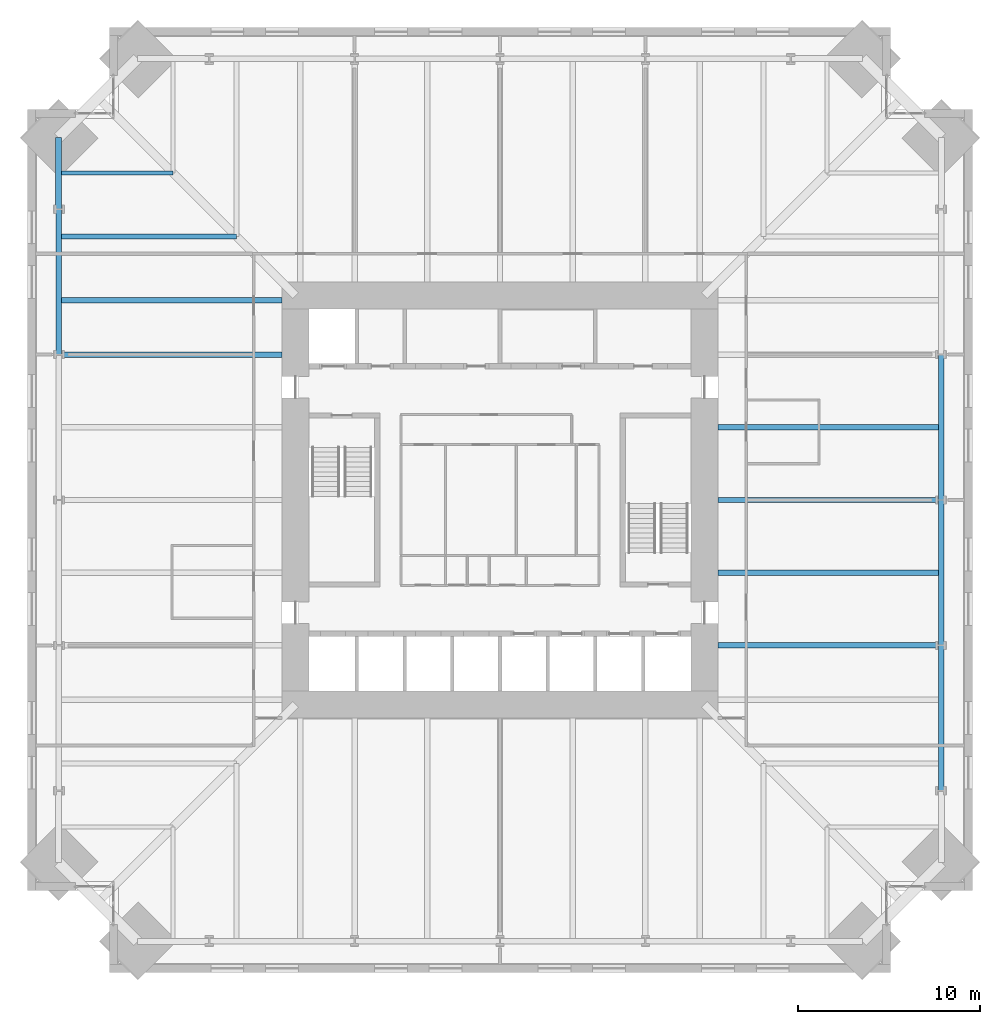
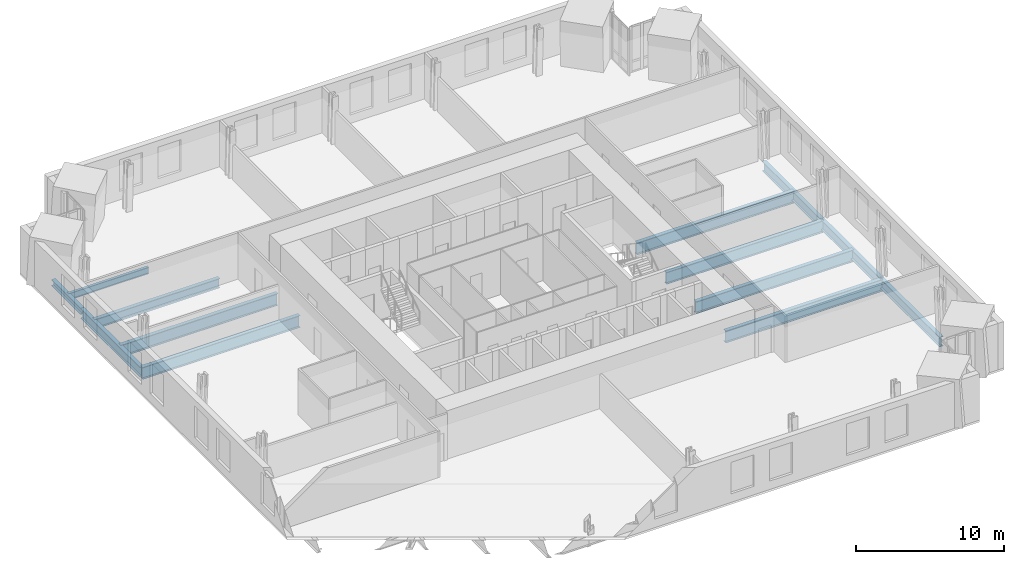
# One storey, part 5 of 18: 13 beams.
"""IFC4 building model written with IfcOpenShell, lengths in metres."""

import ifcopenshell
import ifcopenshell.guid

model = None  # the IFC model being written
_history = None  # IfcOwnerHistory: only IFC2X3 demands one
_inside = {}  # id of a spatial element -> (the spatial element, [elements in it])
_under = {}  # id of a project, library or spatial element -> (it, [spatial elements below it])
_declared = {}  # id of a project -> (the project, [libraries it declares])
_typed = {}  # id of a type object -> (the type object, [elements of that type])
_made_of = {}  # id of a material, layer set ... -> (it, [elements and type objects made of it])


def new_model(schema):
    """Start an empty IFC model of exactly this schema.

    Asked for "IFC4X3", IfcOpenShell would pick the latest addendum, in which some entities
    have other attributes; the version numbers below select the first issue.
    IFC2X3 requires an IfcOwnerHistory on every rooted entity: one is made here for all.
    """
    global model, _history
    if schema == "IFC4X3":
        model = ifcopenshell.file(schema_version=(4, 3, 0, 0))
    else:
        model = ifcopenshell.file(schema=schema)
    _inside.clear()
    _under.clear()
    _declared.clear()
    _typed.clear()
    _made_of.clear()
    _history = None
    if model.schema == "IFC2X3":
        org = make("IfcOrganization", Name="unknown")
        user = make(
            "IfcPersonAndOrganization",
            ThePerson=make("IfcPerson", FamilyName="unknown"),
            TheOrganization=org,
        )
        app = make(
            "IfcApplication",
            ApplicationDeveloper=org,
            Version="unknown",
            ApplicationFullName="unknown",
            ApplicationIdentifier="unknown",
        )
        _history = make(
            "IfcOwnerHistory",
            OwningUser=user,
            OwningApplication=app,
            ChangeAction="ADDED",
            CreationDate=0,
        )
    return model


def make(cls, **values):
    """One entity of the class cls with the attributes given. An attribute that is None is left unset."""
    return model.create_entity(
        cls, **{name: value for name, value in values.items() if value is not None}
    )


def rooted(cls, **values):
    """An entity with a GlobalId (a new one), such as an element, a storey or a relation."""
    return make(cls, GlobalId=ifcopenshell.guid.new(), OwnerHistory=_history, **values)


def si_unit(unit_type, name, prefix=None):
    """IfcSIUnit, for example si_unit("LENGTHUNIT", "METRE", prefix="MILLI")."""
    return make("IfcSIUnit", UnitType=unit_type, Prefix=prefix, Name=name)


def assignment(units):
    """IfcUnitAssignment: the units of a project."""
    return None if units is None else make("IfcUnitAssignment", Units=units)


def point(xyz):
    """IfcCartesianPoint."""
    return None if xyz is None else make("IfcCartesianPoint", Coordinates=xyz)


def direction(xyz):
    """IfcDirection."""
    return None if xyz is None else make("IfcDirection", DirectionRatios=xyz)


def frame(location, z_axis=None, x_axis=None):
    """IfcAxis2Placement3D, a coordinate frame: its origin and axes. An axis left out is left unset."""
    return make(
        "IfcAxis2Placement3D",
        Location=point(location),
        Axis=direction(z_axis),
        RefDirection=direction(x_axis),
    )


def frame_2d(location, x_axis=None):
    """IfcAxis2Placement2D, a coordinate frame in the plane: its origin and x axis."""
    return make(
        "IfcAxis2Placement2D", Location=point(location), RefDirection=direction(x_axis)
    )


def origin():
    """The frame at (0, 0, 0) with its axes left unset."""
    return frame((0.0, 0.0, 0.0))


def origin_2d():
    """The frame at (0, 0) in the plane with its x axis left unset."""
    return frame_2d((0.0, 0.0))


def place(relative_to, where):
    """IfcLocalPlacement: puts the frame where relative to a parent placement (None: the world)."""
    return make(
        "IfcLocalPlacement", PlacementRelTo=relative_to, RelativePlacement=where
    )


def context(
    kind, dimensions, precision=None, world=None, true_north=None, identifier=None
):
    """IfcGeometricRepresentationContext, for example the 3D "Model" context."""
    return make(
        "IfcGeometricRepresentationContext",
        ContextIdentifier=identifier,
        ContextType=kind,
        CoordinateSpaceDimension=dimensions,
        Precision=precision,
        WorldCoordinateSystem=world,
        TrueNorth=true_north,
    )


def subcontext(parent, identifier, kind, view, scale=None):
    """IfcGeometricRepresentationSubContext, for example "Body" below "Model"."""
    return make(
        "IfcGeometricRepresentationSubContext",
        ContextIdentifier=identifier,
        ContextType=kind,
        ParentContext=parent,
        TargetScale=scale,
        TargetView=view,
    )


def project(units=None, contexts=None):
    """IfcProject with its units and contexts."""
    return rooted(
        "IfcProject",
        Name="project",
        RepresentationContexts=contexts,
        UnitsInContext=assignment(units),
    )


def spatial(cls, under=None, at=None, **own):
    """A site, building, storey or space (cls), placed at a placement, below another one or the project."""
    s = rooted(cls, ObjectPlacement=at, **own)
    if under is not None:
        _under.setdefault(under.id(), (under, []))[1].append(s)
    return s


def profile(cls, at=None, kind="AREA", **sizes):
    """A parametric profile (cls). Its sizes go by their IFC names, for example OverallWidth=200.0."""
    return make(cls, ProfileType=kind, Position=at, **sizes)


def i_section(**sizes):
    """IfcIShapeProfileDef."""
    return profile("IfcIShapeProfileDef", **sizes)


def extrude(swept, where, along, depth):
    """IfcExtrudedAreaSolid: the profile swept, set in the frame where, extruded along a direction by depth."""
    return make(
        "IfcExtrudedAreaSolid",
        SweptArea=swept,
        Position=where,
        ExtrudedDirection=direction(along),
        Depth=depth,
    )


def shape(context_of_items, identifier, shape_type, items):
    """IfcShapeRepresentation: the items that make up one representation, for example the "Body"."""
    return make(
        "IfcShapeRepresentation",
        ContextOfItems=context_of_items,
        RepresentationIdentifier=identifier,
        RepresentationType=shape_type,
        Items=items,
    )


def material(Name=None, Category=None):
    """IfcMaterial."""
    return make("IfcMaterial", Name=Name, Category=Category)


def material_profile(
    of_material, cross_section, Name=None, Category=None, Priority=None
):
    """IfcMaterialProfile: a cross section and its material."""
    return make(
        "IfcMaterialProfile",
        Name=Name,
        Material=of_material,
        Profile=cross_section,
        Priority=Priority,
        Category=Category,
    )


def profile_set(profiles, Name=None, composite=None):
    """IfcMaterialProfileSet."""
    return make(
        "IfcMaterialProfileSet",
        Name=Name,
        MaterialProfiles=profiles,
        CompositeProfile=composite,
    )


def made_of(thing, what):
    """Note that an element or type object is made of a material, layer set ...; save() writes the relation."""
    if what is not None:
        _made_of.setdefault(what.id(), (what, []))[1].append(thing)
    return thing


def type_object(cls, material=None, **own):
    """A type object (cls), such as IfcWallType, which elements share."""
    return made_of(rooted(cls, **own), material)


def element(
    cls,
    number,
    at=None,
    inside=None,
    cuts=None,
    type_object=None,
    material=None,
    context=None,
    identifier="Body",
    shape_type=None,
    held_by="IfcProductDefinitionShape",
    body=None,
    shapes=None,
    **own,
):
    """One element of the class cls, such as IfcWall. Its Tag is "e" and its number.

    at: its placement. inside: the storey or other place that contains it. cuts: it is an
    opening in that element (IfcRelVoidsElement). A single representation is given by context,
    identifier, shape_type and body (its items); several are given by shapes. held_by: the class
    of the entity that holds the representations. save() writes the other relations.
    """
    e = rooted(cls, Tag="e%d" % number, ObjectPlacement=at, **own)
    if body is not None:
        shapes = [shape(context, identifier, shape_type, body)]
    if shapes is not None:
        e.Representation = make(held_by, Representations=shapes)
    if inside is not None:
        _inside.setdefault(inside.id(), (inside, []))[1].append(e)
    if cuts is not None:
        rooted(
            "IfcRelVoidsElement", RelatingBuildingElement=cuts, RelatedOpeningElement=e
        )
    if type_object is not None:
        _typed.setdefault(type_object.id(), (type_object, []))[1].append(e)
    return made_of(e, material)


def aggregate(whole, parts):
    """IfcRelAggregates: a whole, such as a stair, and the parts it consists of."""
    return rooted("IfcRelAggregates", RelatingObject=whole, RelatedObjects=parts)


def save(model, path):
    """Write the relations noted so far, then the file.

    IfcRelAggregates (storeys below a building ...), IfcRelContainedInSpatialStructure (elements
    in a storey), IfcRelDefinesByType, IfcRelAssociatesMaterial and IfcRelDeclares: one each for
    every whole, place, type object, material and project.
    """
    for whole, parts in _under.values():
        aggregate(whole, parts)
    for where, things in _inside.values():
        rooted(
            "IfcRelContainedInSpatialStructure",
            RelatedElements=things,
            RelatingStructure=where,
        )
    for kind, things in _typed.values():
        rooted("IfcRelDefinesByType", RelatedObjects=things, RelatingType=kind)
    for what, things in _made_of.values():
        rooted("IfcRelAssociatesMaterial", RelatedObjects=things, RelatingMaterial=what)
    for by, libraries in _declared.values():
        rooted("IfcRelDeclares", RelatingContext=by, RelatedDefinitions=libraries)
    model.write(path)


model = new_model("IFC4")

# Units and contexts
model_context = context("Model", 3, precision=1e-05, world=origin(), true_north=direction((0.0, 1.0)))
body_context = subcontext(model_context, "Body", "Model", "MODEL_VIEW")
ifc_project = project(units=[si_unit("LENGTHUNIT", "METRE"), si_unit("AREAUNIT", "SQUARE_METRE"), si_unit("VOLUMEUNIT", "CUBIC_METRE"), si_unit("PLANEANGLEUNIT", "RADIAN"), si_unit("MASSUNIT", "GRAM", prefix="KILO")], contexts=[model_context])

# Site, building, storey
site_placement = place(None, origin())
site = spatial("IfcSite", under=ifc_project, at=site_placement, CompositionType="ELEMENT")
building_placement = place(site_placement, origin())
building = spatial("IfcBuilding", under=site, at=building_placement, Name="Peilmerk Tower", CompositionType="ELEMENT")
storey_placement = place(building_placement, frame((0.0, 0.0, 163.800048828125)))
storey = spatial("IfcBuildingStorey", under=building, at=storey_placement, Name="L34", CompositionType="ELEMENT", Elevation=163.800048828125)

# Beams
ifc_material = material(Name="Steel S355", Category="steel")
ifc_material_profile_1 = material_profile(ifc_material, i_section(OverallWidth=0.2099609375, OverallDepth=0.550048828125, WebThickness=0.010986328125, FlangeThickness=0.01708984375, at=origin_2d()), Name="IPE 550")
ifc_profile_set_1 = profile_set([ifc_material_profile_1], Name="Steel S355")
beam_type_1 = type_object("IfcBeamType", Name="B12 IPE 550 floor beam", PredefinedType="BEAM", material=ifc_profile_set_1)
beam_1_placement = place(storey_placement, frame((-18.0, 18.0, -0.445068359375), z_axis=(-1.0, 0.0, 0.0), x_axis=(0.0, -1.0, 0.0)))
element("IfcBeam", 1, at=beam_1_placement, inside=storey, type_object=beam_type_1, Name="Floor beam L34", PredefinedType="BEAM", context=body_context, shape_type="SweptSolid", body=[
    extrude(i_section(OverallWidth=0.2099609375, OverallDepth=0.550048828125, WebThickness=0.010986328125, FlangeThickness=0.01708984375, at=origin_2d()), origin(), (0.0, 0.0, 1.0), 6.2919921875),
])
ifc_material_profile_2 = material_profile(ifc_material, i_section(OverallWidth=0.300048828125, OverallDepth=0.989990234375, WebThickness=0.0166015625, FlangeThickness=0.031005859375, at=origin_2d()), Name="HEA 1000")
ifc_profile_set_2 = profile_set([ifc_material_profile_2], Name="Steel S355")
beam_type_2 = type_object("IfcBeamType", Name="B14 HEA 1000 floor girder", PredefinedType="BEAM", material=ifc_profile_set_2)
for number, where, z_axis, x_axis, name in (
    (2, (12.0, -8.0, -0.6650390625), (1.0, 0.0, 0.0), (0.0, 1.0, 0.0), "Floor beam L34"),
    (3, (12.0, -4.0, -0.6650390625), (1.0, 0.0, 0.0), (0.0, 1.0, 0.0), "Floor beam L34"),
    (4, (12.0, 0.0, -0.6650390625), (1.0, 0.0, 0.0), (0.0, 1.0, 0.0), "Floor beam L34"),
    (5, (12.0, 4.0, -0.6650390625), (1.0, 0.0, 0.0), (0.0, 1.0, 0.0), "Floor beam L34"),
    (6, (-12.0, 11.0, -0.6650390625), (-1.0, 0.0, 0.0), (0.0, -1.0, 0.0), "Floor beam L34"),
    (7, (-12.0, 8.0, -0.6650390625), (-1.0, 0.0, 0.0), (0.0, -1.0, 0.0), "Floor beam L34"),
):
    element("IfcBeam", number, at=place(storey_placement, frame(where, z_axis=z_axis, x_axis=x_axis)), inside=storey, type_object=beam_type_2, Name=name, PredefinedType="BEAM", context=body_context, shape_type="SweptSolid", body=[
        extrude(i_section(OverallWidth=0.300048828125, OverallDepth=0.989990234375, WebThickness=0.0166015625, FlangeThickness=0.031005859375, at=origin_2d()), origin(), (0.0, 0.0, 1.0), 12.2919921875),
    ])
ifc_material_profile_3 = material_profile(ifc_material, i_section(OverallWidth=0.302978515625, OverallDepth=0.81396484375, WebThickness=0.02099609375, FlangeThickness=0.0400390625, at=origin_2d()), Name="HEM 800")
ifc_profile_set_3 = profile_set([ifc_material_profile_3], Name="Steel S355")
beam_type_3 = type_object("IfcBeamType", Name="B15 HEM 800 edge beam", PredefinedType="SPANDREL", material=ifc_profile_set_3)
for number, where, z_axis, x_axis, name in (
    (8, (24.2919921875, -16.0, -0.5771484375), (0.0, 1.0, 0.0), (-1.0, 0.0, 0.0), "Edge beam L34"),
    (9, (24.2919921875, -8.0, -0.5771484375), (0.0, 1.0, 0.0), (-1.0, 0.0, 0.0), "Edge beam L34"),
    (10, (24.2919921875, 0.0, -0.5771484375), (0.0, 1.0, 0.0), (-1.0, 0.0, 0.0), "Edge beam L34"),
    (11, (-24.2919921875, 16.0, -0.5771484375), (0.0, -1.0, 0.0), (1.0, 0.0, 0.0), "Edge beam L34"),
):
    element("IfcBeam", number, at=place(storey_placement, frame(where, z_axis=z_axis, x_axis=x_axis)), inside=storey, type_object=beam_type_3, Name=name, PredefinedType="SPANDREL", context=body_context, shape_type="SweptSolid", body=[
        extrude(i_section(OverallWidth=0.302978515625, OverallDepth=0.81396484375, WebThickness=0.02099609375, FlangeThickness=0.0400390625, at=origin_2d()), origin(), (0.0, 0.0, 1.0), 8.0),
    ])
ifc_material_profile_4 = material_profile(ifc_material, i_section(OverallWidth=0.300048828125, OverallDepth=0.7900390625, WebThickness=0.014892578125, FlangeThickness=0.028076171875, at=origin_2d()), Name="HEA 800")
ifc_profile_set_4 = profile_set([ifc_material_profile_4], Name="Steel S355")
beam_type_4 = type_object("IfcBeamType", Name="B3 HEA 800 floor beam", PredefinedType="BEAM", material=ifc_profile_set_4)
beam_2_placement = place(storey_placement, frame((-14.5, 14.5, -0.56494140625), z_axis=(-1.0, 0.0, 0.0), x_axis=(0.0, -1.0, 0.0)))
element("IfcBeam", 12, at=beam_2_placement, inside=storey, type_object=beam_type_4, Name="Floor beam L34", PredefinedType="BEAM", context=body_context, shape_type="SweptSolid", body=[
    extrude(i_section(OverallWidth=0.300048828125, OverallDepth=0.7900390625, WebThickness=0.014892578125, FlangeThickness=0.028076171875, at=origin_2d()), origin(), (0.0, 0.0, 1.0), 9.7919921875),
])
ifc_material_profile_5 = material_profile(ifc_material, i_section(OverallWidth=0.305908203125, OverallDepth=0.52392578125, WebThickness=0.02099609375, FlangeThickness=0.0400390625, at=origin_2d()), Name="HEM 500")
ifc_profile_set_5 = profile_set([ifc_material_profile_5], Name="Steel S355")
beam_type_5 = type_object("IfcBeamType", Name="B33 HEM 500 edge beam", PredefinedType="SPANDREL", material=ifc_profile_set_5)
beam_3_placement = place(storey_placement, frame((-24.2919921875, 19.94189453125, -0.43212890625), z_axis=(0.0, -1.0, 0.0), x_axis=(1.0, 0.0, 0.0)))
element("IfcBeam", 13, at=beam_3_placement, inside=storey, type_object=beam_type_5, Name="Edge beam L34", PredefinedType="SPANDREL", context=body_context, shape_type="SweptSolid", body=[
    extrude(i_section(OverallWidth=0.305908203125, OverallDepth=0.52392578125, WebThickness=0.02099609375, FlangeThickness=0.0400390625, at=origin_2d()), origin(), (0.0, 0.0, 1.0), 3.94189453125),
])

save(model, "model.ifc")
